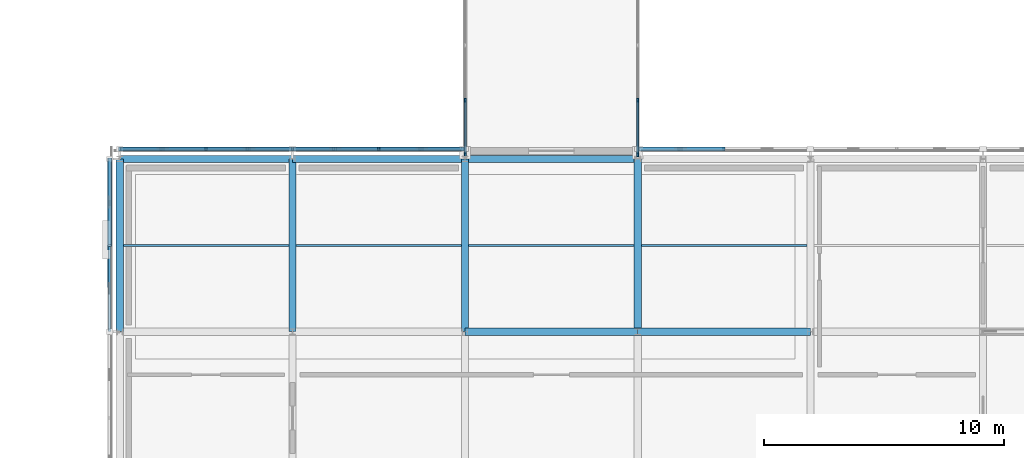
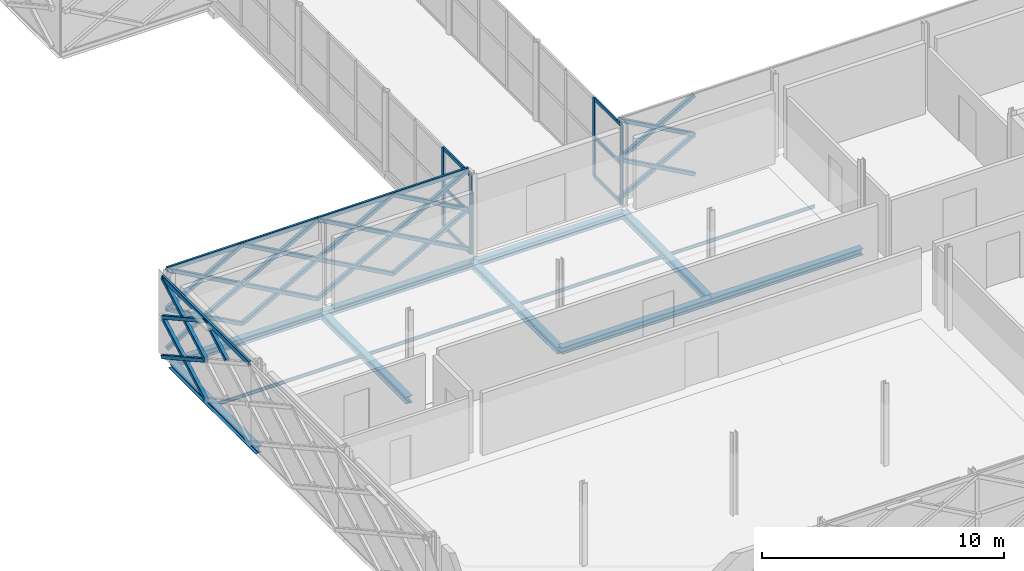
# One storey, part 21 of 126: 50 members, 13 beams, 2 elements without a shape of their own.
"""IFC4 building model written with IfcOpenShell, lengths in metres."""

import ifcopenshell
import ifcopenshell.guid

model = None  # the IFC model being written
_history = None  # IfcOwnerHistory: only IFC2X3 demands one
_inside = {}  # id of a spatial element -> (the spatial element, [elements in it])
_under = {}  # id of a project, library or spatial element -> (it, [spatial elements below it])
_declared = {}  # id of a project -> (the project, [libraries it declares])
_typed = {}  # id of a type object -> (the type object, [elements of that type])
_made_of = {}  # id of a material, layer set ... -> (it, [elements and type objects made of it])


def new_model(schema):
    """Start an empty IFC model of exactly this schema.

    Asked for "IFC4X3", IfcOpenShell would pick the latest addendum, in which some entities
    have other attributes; the version numbers below select the first issue.
    IFC2X3 requires an IfcOwnerHistory on every rooted entity: one is made here for all.
    """
    global model, _history
    if schema == "IFC4X3":
        model = ifcopenshell.file(schema_version=(4, 3, 0, 0))
    else:
        model = ifcopenshell.file(schema=schema)
    _inside.clear()
    _under.clear()
    _declared.clear()
    _typed.clear()
    _made_of.clear()
    _history = None
    if model.schema == "IFC2X3":
        org = make("IfcOrganization", Name="unknown")
        user = make(
            "IfcPersonAndOrganization",
            ThePerson=make("IfcPerson", FamilyName="unknown"),
            TheOrganization=org,
        )
        app = make(
            "IfcApplication",
            ApplicationDeveloper=org,
            Version="unknown",
            ApplicationFullName="unknown",
            ApplicationIdentifier="unknown",
        )
        _history = make(
            "IfcOwnerHistory",
            OwningUser=user,
            OwningApplication=app,
            ChangeAction="ADDED",
            CreationDate=0,
        )
    return model


def make(cls, **values):
    """One entity of the class cls with the attributes given. An attribute that is None is left unset."""
    return model.create_entity(
        cls, **{name: value for name, value in values.items() if value is not None}
    )


def rooted(cls, **values):
    """An entity with a GlobalId (a new one), such as an element, a storey or a relation."""
    return make(cls, GlobalId=ifcopenshell.guid.new(), OwnerHistory=_history, **values)


def si_unit(unit_type, name, prefix=None):
    """IfcSIUnit, for example si_unit("LENGTHUNIT", "METRE", prefix="MILLI")."""
    return make("IfcSIUnit", UnitType=unit_type, Prefix=prefix, Name=name)


def assignment(units):
    """IfcUnitAssignment: the units of a project."""
    return None if units is None else make("IfcUnitAssignment", Units=units)


def point(xyz):
    """IfcCartesianPoint."""
    return None if xyz is None else make("IfcCartesianPoint", Coordinates=xyz)


def direction(xyz):
    """IfcDirection."""
    return None if xyz is None else make("IfcDirection", DirectionRatios=xyz)


def frame(location, z_axis=None, x_axis=None):
    """IfcAxis2Placement3D, a coordinate frame: its origin and axes. An axis left out is left unset."""
    return make(
        "IfcAxis2Placement3D",
        Location=point(location),
        Axis=direction(z_axis),
        RefDirection=direction(x_axis),
    )


def frame_2d(location, x_axis=None):
    """IfcAxis2Placement2D, a coordinate frame in the plane: its origin and x axis."""
    return make(
        "IfcAxis2Placement2D", Location=point(location), RefDirection=direction(x_axis)
    )


def origin():
    """The frame at (0, 0, 0) with its axes left unset."""
    return frame((0.0, 0.0, 0.0))


def origin_2d():
    """The frame at (0, 0) in the plane with its x axis left unset."""
    return frame_2d((0.0, 0.0))


def place(relative_to, where):
    """IfcLocalPlacement: puts the frame where relative to a parent placement (None: the world)."""
    return make(
        "IfcLocalPlacement", PlacementRelTo=relative_to, RelativePlacement=where
    )


def context(
    kind, dimensions, precision=None, world=None, true_north=None, identifier=None
):
    """IfcGeometricRepresentationContext, for example the 3D "Model" context."""
    return make(
        "IfcGeometricRepresentationContext",
        ContextIdentifier=identifier,
        ContextType=kind,
        CoordinateSpaceDimension=dimensions,
        Precision=precision,
        WorldCoordinateSystem=world,
        TrueNorth=true_north,
    )


def subcontext(parent, identifier, kind, view, scale=None):
    """IfcGeometricRepresentationSubContext, for example "Body" below "Model"."""
    return make(
        "IfcGeometricRepresentationSubContext",
        ContextIdentifier=identifier,
        ContextType=kind,
        ParentContext=parent,
        TargetScale=scale,
        TargetView=view,
    )


def project(units=None, contexts=None):
    """IfcProject with its units and contexts."""
    return rooted(
        "IfcProject",
        Name="project",
        RepresentationContexts=contexts,
        UnitsInContext=assignment(units),
    )


def spatial(cls, under=None, at=None, **own):
    """A site, building, storey or space (cls), placed at a placement, below another one or the project."""
    s = rooted(cls, ObjectPlacement=at, **own)
    if under is not None:
        _under.setdefault(under.id(), (under, []))[1].append(s)
    return s


def profile(cls, at=None, kind="AREA", **sizes):
    """A parametric profile (cls). Its sizes go by their IFC names, for example OverallWidth=200.0."""
    return make(cls, ProfileType=kind, Position=at, **sizes)


def rectangle(**sizes):
    """IfcRectangleProfileDef."""
    return profile("IfcRectangleProfileDef", **sizes)


def hollow_rectangle(**sizes):
    """IfcRectangleHollowProfileDef."""
    return profile("IfcRectangleHollowProfileDef", **sizes)


def i_section(**sizes):
    """IfcIShapeProfileDef."""
    return profile("IfcIShapeProfileDef", **sizes)


def extrude(swept, where, along, depth):
    """IfcExtrudedAreaSolid: the profile swept, set in the frame where, extruded along a direction by depth."""
    return make(
        "IfcExtrudedAreaSolid",
        SweptArea=swept,
        Position=where,
        ExtrudedDirection=direction(along),
        Depth=depth,
    )


def shape(context_of_items, identifier, shape_type, items):
    """IfcShapeRepresentation: the items that make up one representation, for example the "Body"."""
    return make(
        "IfcShapeRepresentation",
        ContextOfItems=context_of_items,
        RepresentationIdentifier=identifier,
        RepresentationType=shape_type,
        Items=items,
    )


def material(Name=None, Category=None):
    """IfcMaterial."""
    return make("IfcMaterial", Name=Name, Category=Category)


def material_profile(
    of_material, cross_section, Name=None, Category=None, Priority=None
):
    """IfcMaterialProfile: a cross section and its material."""
    return make(
        "IfcMaterialProfile",
        Name=Name,
        Material=of_material,
        Profile=cross_section,
        Priority=Priority,
        Category=Category,
    )


def profile_set(profiles, Name=None, composite=None):
    """IfcMaterialProfileSet."""
    return make(
        "IfcMaterialProfileSet",
        Name=Name,
        MaterialProfiles=profiles,
        CompositeProfile=composite,
    )


def made_of(thing, what):
    """Note that an element or type object is made of a material, layer set ...; save() writes the relation."""
    if what is not None:
        _made_of.setdefault(what.id(), (what, []))[1].append(thing)
    return thing


def type_object(cls, material=None, **own):
    """A type object (cls), such as IfcWallType, which elements share."""
    return made_of(rooted(cls, **own), material)


def element(
    cls,
    number,
    at=None,
    inside=None,
    cuts=None,
    type_object=None,
    material=None,
    context=None,
    identifier="Body",
    shape_type=None,
    held_by="IfcProductDefinitionShape",
    body=None,
    shapes=None,
    **own,
):
    """One element of the class cls, such as IfcWall. Its Tag is "e" and its number.

    at: its placement. inside: the storey or other place that contains it. cuts: it is an
    opening in that element (IfcRelVoidsElement). A single representation is given by context,
    identifier, shape_type and body (its items); several are given by shapes. held_by: the class
    of the entity that holds the representations. save() writes the other relations.
    """
    e = rooted(cls, Tag="e%d" % number, ObjectPlacement=at, **own)
    if body is not None:
        shapes = [shape(context, identifier, shape_type, body)]
    if shapes is not None:
        e.Representation = make(held_by, Representations=shapes)
    if inside is not None:
        _inside.setdefault(inside.id(), (inside, []))[1].append(e)
    if cuts is not None:
        rooted(
            "IfcRelVoidsElement", RelatingBuildingElement=cuts, RelatedOpeningElement=e
        )
    if type_object is not None:
        _typed.setdefault(type_object.id(), (type_object, []))[1].append(e)
    return made_of(e, material)


def aggregate(whole, parts):
    """IfcRelAggregates: a whole, such as a stair, and the parts it consists of."""
    return rooted("IfcRelAggregates", RelatingObject=whole, RelatedObjects=parts)


def save(model, path):
    """Write the relations noted so far, then the file.

    IfcRelAggregates (storeys below a building ...), IfcRelContainedInSpatialStructure (elements
    in a storey), IfcRelDefinesByType, IfcRelAssociatesMaterial and IfcRelDeclares: one each for
    every whole, place, type object, material and project.
    """
    for whole, parts in _under.values():
        aggregate(whole, parts)
    for where, things in _inside.values():
        rooted(
            "IfcRelContainedInSpatialStructure",
            RelatedElements=things,
            RelatingStructure=where,
        )
    for kind, things in _typed.values():
        rooted("IfcRelDefinesByType", RelatedObjects=things, RelatingType=kind)
    for what, things in _made_of.values():
        rooted("IfcRelAssociatesMaterial", RelatedObjects=things, RelatingMaterial=what)
    for by, libraries in _declared.values():
        rooted("IfcRelDeclares", RelatingContext=by, RelatedDefinitions=libraries)
    model.write(path)


model = new_model("IFC4")

# Units and contexts
model_context = context("Model", 3, precision=1e-05, world=origin(), true_north=direction((0.0, 1.0)))
body_context = subcontext(model_context, "Body", "Model", "MODEL_VIEW")
ifc_project = project(units=[si_unit("LENGTHUNIT", "METRE"), si_unit("AREAUNIT", "SQUARE_METRE"), si_unit("VOLUMEUNIT", "CUBIC_METRE"), si_unit("PLANEANGLEUNIT", "RADIAN"), si_unit("MASSUNIT", "GRAM", prefix="KILO")], contexts=[model_context])

# Site, building, storey
site_placement = place(None, origin())
site = spatial("IfcSite", under=ifc_project, at=site_placement, CompositionType="ELEMENT")
building_placement = place(site_placement, origin())
building = spatial("IfcBuilding", under=site, at=building_placement, Name="Zlatovets Crest Museum", CompositionType="ELEMENT")
storey_placement = place(building_placement, frame((0.0, 0.0, 8.699951171875)))
storey = spatial("IfcBuildingStorey", under=building, at=storey_placement, Name="L02", CompositionType="ELEMENT", Elevation=8.699951171875)

# Beams
ifc_material_1 = material(Name="Structural steel S355J2", Category="steel")
ifc_material_profile_1 = material_profile(ifc_material_1, i_section(OverallWidth=0.300048828125, OverallDepth=0.35009765625, WebThickness=0.010009765625, FlangeThickness=0.017578125, FilletRadius=0.027099609375, at=origin_2d()), Name="HEA 360")
ifc_profile_set_1 = profile_set([ifc_material_profile_1], Name="Structural steel S355J2")
beam_type_1 = type_object("IfcBeamType", Name="Beam_B-03", PredefinedType="BEAM", material=ifc_profile_set_1)
for number, where, z_axis, x_axis, name in (
    (1, (0.0, 21.60009765625, -0.39501953125), (0.0, 1.0, 0.0), (-1.0, 0.0, 0.0), "V3 L02 Grid Beam B-03"),
    (2, (7.199951171875, 21.60009765625, -0.39501953125), (0.0, 1.0, 0.0), (-1.0, 0.0, 0.0), "V3 L02 Grid Beam B-03"),
    (3, (14.39990234375, 21.60009765625, -0.39501953125), (0.0, 1.0, 0.0), (-1.0, 0.0, 0.0), "V3 L02 Grid Beam B-03"),
    (4, (21.60009765625, 21.60009765625, -0.39501953125), (0.0, 1.0, 0.0), (-1.0, 0.0, 0.0), "V3 L02 Grid Beam B-03"),
):
    element("IfcBeam", number, at=place(storey_placement, frame(where, z_axis=z_axis, x_axis=x_axis)), inside=storey, type_object=beam_type_1, Name=name, PredefinedType="BEAM", context=body_context, shape_type="SweptSolid", body=[
        extrude(i_section(OverallWidth=0.300048828125, OverallDepth=0.35009765625, WebThickness=0.010009765625, FlangeThickness=0.017578125, FilletRadius=0.027099609375, at=origin_2d()), origin(), (0.0, 0.0, 1.0), 7.199951171875),
    ])
ifc_material_profile_2 = material_profile(ifc_material_1, i_section(OverallWidth=0.300048828125, OverallDepth=0.330078125, WebThickness=0.009521484375, FlangeThickness=0.0166015625, FilletRadius=0.027099609375, at=origin_2d()), Name="HEA 340")
ifc_profile_set_2 = profile_set([ifc_material_profile_2], Name="Structural steel S355J2")
beam_type_2 = type_object("IfcBeamType", Name="Beam_B-11", PredefinedType="BEAM", material=ifc_profile_set_2)
beam_1_placement = place(storey_placement, frame((14.39990234375, 21.60009765625, -0.385009765625), z_axis=(1.0, 0.0, 0.0), x_axis=(0.0, 1.0, 0.0)))
element("IfcBeam", 5, at=beam_1_placement, inside=storey, type_object=beam_type_2, Name="V3 L02 Primary Girder B-11", PredefinedType="BEAM", context=body_context, shape_type="SweptSolid", body=[
    extrude(i_section(OverallWidth=0.300048828125, OverallDepth=0.330078125, WebThickness=0.009521484375, FlangeThickness=0.0166015625, FilletRadius=0.027099609375, at=origin_2d()), origin(), (0.0, 0.0, 1.0), 7.2001953125),
])
for number, where, z_axis, x_axis, name in (
    (6, (21.60009765625, 21.60009765625, -0.385009765625), (1.0, 0.0, 0.0), (0.0, 1.0, 0.0), "V3 L02 Primary Girder B-11"),
    (7, (0.0, 28.800048828125, -0.385009765625), (1.0, 0.0, 0.0), (0.0, 1.0, 0.0), "V3 L02 Primary Girder B-11"),
    (8, (7.199951171875, 28.800048828125, -0.385009765625), (1.0, 0.0, 0.0), (0.0, 1.0, 0.0), "V3 L02 Primary Girder B-11"),
):
    element("IfcBeam", number, at=place(storey_placement, frame(where, z_axis=z_axis, x_axis=x_axis)), inside=storey, type_object=beam_type_2, Name=name, PredefinedType="BEAM", context=body_context, shape_type="SweptSolid", body=[
        extrude(i_section(OverallWidth=0.300048828125, OverallDepth=0.330078125, WebThickness=0.009521484375, FlangeThickness=0.0166015625, FilletRadius=0.027099609375, at=origin_2d()), origin(), (0.0, 0.0, 1.0), 7.199951171875),
    ])
beam_2_placement = place(storey_placement, frame((14.39990234375, 28.800048828125, -0.385009765625), z_axis=(1.0, 0.0, 0.0), x_axis=(0.0, 1.0, 0.0)))
element("IfcBeam", 9, at=beam_2_placement, inside=storey, type_object=beam_type_2, Name="V3 L02 Primary Girder B-11", PredefinedType="BEAM", context=body_context, shape_type="SweptSolid", body=[
    extrude(i_section(OverallWidth=0.300048828125, OverallDepth=0.330078125, WebThickness=0.009521484375, FlangeThickness=0.0166015625, FilletRadius=0.027099609375, at=origin_2d()), origin(), (0.0, 0.0, 1.0), 7.2001953125),
])
ifc_material_profile_3 = material_profile(ifc_material_1, i_section(OverallWidth=0.08203125, OverallDepth=0.159912109375, WebThickness=0.0048828125, FlangeThickness=0.00732421875, FilletRadius=0.009033203125, at=origin_2d()), Name="IPE 160")
ifc_profile_set_3 = profile_set([ifc_material_profile_3], Name="Structural steel S355J2")
beam_type_3 = type_object("IfcBeamType", Name="Beam_J-12", PredefinedType="JOIST", material=ifc_profile_set_3)
beam_3_placement = place(storey_placement, frame((0.14990234375, 25.199951171875, -0.300048828125), z_axis=(1.0, 0.0, 0.0), x_axis=(0.0, 1.0, 0.0)))
element("IfcBeam", 10, at=beam_3_placement, inside=storey, type_object=beam_type_3, Name="V3 L02 Composite Joist J-12", PredefinedType="JOIST", context=body_context, shape_type="SweptSolid", body=[
    extrude(i_section(OverallWidth=0.08203125, OverallDepth=0.159912109375, WebThickness=0.0048828125, FlangeThickness=0.00732421875, FilletRadius=0.009033203125, at=origin_2d()), origin(), (0.0, 0.0, 1.0), 6.900146484375),
])
for number, where, z_axis, x_axis, name in (
    (11, (7.35009765625, 25.199951171875, -0.300048828125), (1.0, 0.0, 0.0), (0.0, 1.0, 0.0), "V3 L02 Composite Joist J-12"),
    (12, (14.550048828125, 25.199951171875, -0.300048828125), (1.0, 0.0, 0.0), (0.0, 1.0, 0.0), "V3 L02 Composite Joist J-12"),
    (13, (21.75, 25.199951171875, -0.300048828125), (1.0, 0.0, 0.0), (0.0, 1.0, 0.0), "V3 L02 Composite Joist J-12"),
):
    element("IfcBeam", number, at=place(storey_placement, frame(where, z_axis=z_axis, x_axis=x_axis)), inside=storey, type_object=beam_type_3, Name=name, PredefinedType="JOIST", context=body_context, shape_type="SweptSolid", body=[
        extrude(i_section(OverallWidth=0.08203125, OverallDepth=0.159912109375, WebThickness=0.0048828125, FlangeThickness=0.00732421875, FilletRadius=0.009033203125, at=origin_2d()), origin(), (0.0, 0.0, 1.0), 6.89990234375),
    ])

# Curtain wall, members
ifc_material_2 = material(Name="Bronze-anodised aluminium and low-E triple glass", Category="aluminium")
curtain_wall_type = type_object("IfcCurtainWallType", Name="CW_CW-BR2-L02-S69", PredefinedType="NOTDEFINED", material=ifc_material_2)
curtain_wall_1_placement = place(storey_placement, origin())
curtain_wall_1 = element("IfcCurtainWall", 14, at=curtain_wall_1_placement, inside=storey, type_object=curtain_wall_type, Name="West Hillside Glazed Link Bridge L02 Glazed Bridge Curtain Wall", PredefinedType="NOTDEFINED")
ifc_material_3 = material(Name="Bronze-anodised aluminium EN AW-6060", Category="aluminium")
ifc_material_profile_4 = material_profile(ifc_material_3, rectangle(XDim=0.080078125, YDim=0.159912109375, at=origin_2d()), Name="ALU 80x160")
ifc_profile_set_4 = profile_set([ifc_material_profile_4], Name="Bronze-anodised aluminium EN AW-6060")
member_type_1 = type_object("IfcMemberType", Name="CWMull_M1", PredefinedType="MULLION", material=ifc_profile_set_4)
member_1_placement = place(storey_placement, frame((14.39990234375, 28.97998046875, 0.0), z_axis=(0.0, 0.0, 1.0), x_axis=(-1.0, 0.0, 0.0)))
member_1 = element("IfcMember", 15, at=member_1_placement, type_object=member_type_1, Name="CW-BR2-L02-S69 mullion 1", PredefinedType="MULLION", context=body_context, shape_type="SweptSolid", body=[
    extrude(rectangle(XDim=0.080078125, YDim=0.159912109375, at=origin_2d()), origin(), (0.0, 0.0, 1.0), 3.97998046875),
])
member_2_placement = place(storey_placement, frame((14.39990234375, 31.25, 0.0), z_axis=(0.0, 0.0, 1.0), x_axis=(-1.0, 0.0, 0.0)))
member_2 = element("IfcMember", 16, at=member_2_placement, type_object=member_type_1, Name="CW-BR2-L02-S69 mullion 2", PredefinedType="MULLION", context=body_context, shape_type="SweptSolid", body=[
    extrude(rectangle(XDim=0.080078125, YDim=0.159912109375, at=origin_2d()), origin(), (0.0, 0.0, 1.0), 3.97998046875),
])

curtain_wall_2_placement = place(storey_placement, origin())
curtain_wall_2 = element("IfcCurtainWall", 17, at=curtain_wall_2_placement, inside=storey, type_object=curtain_wall_type, Name="West Hillside Glazed Link Bridge L02 Glazed Bridge Curtain Wall", PredefinedType="NOTDEFINED")
member_3_placement = place(storey_placement, frame((21.60009765625, 28.97998046875, 0.0), z_axis=(0.0, 0.0, 1.0), x_axis=(-1.0, 0.0, 0.0)))
member_3 = element("IfcMember", 18, at=member_3_placement, type_object=member_type_1, Name="CW-BR2-L02-S69 mullion 1", PredefinedType="MULLION", context=body_context, shape_type="SweptSolid", body=[
    extrude(rectangle(XDim=0.080078125, YDim=0.159912109375, at=origin_2d()), origin(), (0.0, 0.0, 1.0), 3.97998046875),
])
member_4_placement = place(storey_placement, frame((21.60009765625, 31.25, 0.0), z_axis=(0.0, 0.0, 1.0), x_axis=(-1.0, 0.0, 0.0)))
member_4 = element("IfcMember", 19, at=member_4_placement, type_object=member_type_1, Name="CW-BR2-L02-S69 mullion 2", PredefinedType="MULLION", context=body_context, shape_type="SweptSolid", body=[
    extrude(rectangle(XDim=0.080078125, YDim=0.159912109375, at=origin_2d()), origin(), (0.0, 0.0, 1.0), 3.97998046875),
])

# Member
ifc_material_profile_5 = material_profile(ifc_material_3, rectangle(XDim=0.080078125, YDim=0.159912109375, at=origin_2d()), Name="ALU 80x160")
ifc_profile_set_5 = profile_set([ifc_material_profile_5], Name="Bronze-anodised aluminium EN AW-6060")
member_type_2 = type_object("IfcMemberType", Name="CWTrans_T1", PredefinedType="USERDEFINED", material=ifc_profile_set_5)
member_5_placement = place(storey_placement, frame((14.39990234375, 29.010009765625, 0.030029296875), z_axis=(0.0, 1.0, 0.0), x_axis=(-1.0, 0.0, 0.0)))
member_5 = element("IfcMember", 20, at=member_5_placement, type_object=member_type_2, Name="CW-BR2-L02-S69 transom 1.1", ObjectType="TRANSOM", PredefinedType="USERDEFINED", context=body_context, shape_type="SweptSolid", body=[
    extrude(rectangle(XDim=0.080078125, YDim=0.159912109375, at=origin_2d()), origin(), (0.0, 0.0, 1.0), 2.2099609375),
])

member_6_placement = place(storey_placement, frame((14.39990234375, 29.010009765625, 1.989990234375), z_axis=(0.0, 1.0, 0.0), x_axis=(-1.0, 0.0, 0.0)))
member_6 = element("IfcMember", 21, at=member_6_placement, type_object=member_type_2, Name="CW-BR2-L02-S69 transom 1.2", ObjectType="TRANSOM", PredefinedType="USERDEFINED", context=body_context, shape_type="SweptSolid", body=[
    extrude(rectangle(XDim=0.080078125, YDim=0.159912109375, at=origin_2d()), origin(), (0.0, 0.0, 1.0), 2.2099609375),
])

member_7_placement = place(storey_placement, frame((14.39990234375, 29.010009765625, 3.949951171875), z_axis=(0.0, 1.0, 0.0), x_axis=(-1.0, 0.0, 0.0)))
member_7 = element("IfcMember", 22, at=member_7_placement, type_object=member_type_2, Name="CW-BR2-L02-S69 transom 1.3", ObjectType="TRANSOM", PredefinedType="USERDEFINED", context=body_context, shape_type="SweptSolid", body=[
    extrude(rectangle(XDim=0.080078125, YDim=0.159912109375, at=origin_2d()), origin(), (0.0, 0.0, 1.0), 2.2099609375),
])

aggregate(curtain_wall_1, [member_1, member_2, member_5, member_6, member_7])

member_8_placement = place(storey_placement, frame((21.60009765625, 29.010009765625, 0.030029296875), z_axis=(0.0, 1.0, 0.0), x_axis=(-1.0, 0.0, 0.0)))
member_8 = element("IfcMember", 23, at=member_8_placement, type_object=member_type_2, Name="CW-BR2-L02-S69 transom 1.1", ObjectType="TRANSOM", PredefinedType="USERDEFINED", context=body_context, shape_type="SweptSolid", body=[
    extrude(rectangle(XDim=0.080078125, YDim=0.159912109375, at=origin_2d()), origin(), (0.0, 0.0, 1.0), 2.2099609375),
])

member_9_placement = place(storey_placement, frame((21.60009765625, 29.010009765625, 1.989990234375), z_axis=(0.0, 1.0, 0.0), x_axis=(-1.0, 0.0, 0.0)))
member_9 = element("IfcMember", 24, at=member_9_placement, type_object=member_type_2, Name="CW-BR2-L02-S69 transom 1.2", ObjectType="TRANSOM", PredefinedType="USERDEFINED", context=body_context, shape_type="SweptSolid", body=[
    extrude(rectangle(XDim=0.080078125, YDim=0.159912109375, at=origin_2d()), origin(), (0.0, 0.0, 1.0), 2.2099609375),
])

member_10_placement = place(storey_placement, frame((21.60009765625, 29.010009765625, 3.949951171875), z_axis=(0.0, 1.0, 0.0), x_axis=(-1.0, 0.0, 0.0)))
member_10 = element("IfcMember", 25, at=member_10_placement, type_object=member_type_2, Name="CW-BR2-L02-S69 transom 1.3", ObjectType="TRANSOM", PredefinedType="USERDEFINED", context=body_context, shape_type="SweptSolid", body=[
    extrude(rectangle(XDim=0.080078125, YDim=0.159912109375, at=origin_2d()), origin(), (0.0, 0.0, 1.0), 2.2099609375),
])

aggregate(curtain_wall_2, [member_3, member_4, member_8, member_9, member_10])

# Members
ifc_material_4 = material(Name="Weathering bronze-steel S355J2W", Category="steel")
ifc_material_profile_6 = material_profile(ifc_material_4, hollow_rectangle(XDim=0.179931640625, YDim=0.179931640625, WallThickness=0.010009765625, InnerFilletRadius=0.010009765625, OuterFilletRadius=0.02001953125, at=origin_2d()), Name="SHS 180x180x10.0")
ifc_profile_set_6 = profile_set([ifc_material_profile_6], Name="Weathering bronze-steel S355J2W")
member_type_3 = type_object("IfcMemberType", Name="Lattice_XL-01", PredefinedType="BRACE", material=ifc_profile_set_6)
member_11_placement = place(storey_placement, frame((25.199951171875, 29.219970703125, 0.10009765625), z_axis=(-0.874148886685, 0.0, 0.485658031857), x_axis=(0.0, -1.0, 0.0)))
element("IfcMember", 26, at=member_11_placement, inside=storey, type_object=member_type_3, Name="Continuous Bronze Lattice Diagonal", PredefinedType="BRACE", context=body_context, shape_type="SweptSolid", body=[
    extrude(hollow_rectangle(XDim=0.179931640625, YDim=0.179931640625, WallThickness=0.010009765625, InnerFilletRadius=0.010009765625, OuterFilletRadius=0.02001953125, at=origin_2d()), origin(), (0.0, 0.0, 1.0), 4.1181640625),
])
member_12_placement = place(storey_placement, frame((25.199951171875, 29.219970703125, 2.10009765625), z_axis=(-0.874169001841, 0.0, -0.485621824284), x_axis=(0.0, -1.0, 0.0)))
element("IfcMember", 27, at=member_12_placement, inside=storey, type_object=member_type_3, Name="Split Crossing Bronze Lattice Diagonal Upper", PredefinedType="BRACE", context=body_context, shape_type="SweptSolid", body=[
    extrude(hollow_rectangle(XDim=0.179931640625, YDim=0.179931640625, WallThickness=0.010009765625, InnerFilletRadius=0.010009765625, OuterFilletRadius=0.02001953125, at=origin_2d()), origin(), (0.0, 0.0, 1.0), 1.964111328125),
])
member_13_placement = place(storey_placement, frame((23.31689453125, 29.219970703125, 1.053955078125), z_axis=(-0.874139684676, 0.0, -0.48567459443), x_axis=(0.0, -1.0, 0.0)))
element("IfcMember", 28, at=member_13_placement, inside=storey, type_object=member_type_3, Name="Split Crossing Bronze Lattice Diagonal Lower", PredefinedType="BRACE", context=body_context, shape_type="SweptSolid", body=[
    extrude(hollow_rectangle(XDim=0.179931640625, YDim=0.179931640625, WallThickness=0.010009765625, InnerFilletRadius=0.010009765625, OuterFilletRadius=0.02001953125, at=origin_2d()), origin(), (0.0, 0.0, 1.0), 1.9638671875),
])
member_14_placement = place(storey_placement, frame((25.199951171875, 29.219970703125, 2.10009765625), z_axis=(-0.874148886685, 0.0, 0.485658031857), x_axis=(0.0, -1.0, 0.0)))
element("IfcMember", 29, at=member_14_placement, inside=storey, type_object=member_type_3, Name="Continuous Bronze Lattice Diagonal", PredefinedType="BRACE", context=body_context, shape_type="SweptSolid", body=[
    extrude(hollow_rectangle(XDim=0.179931640625, YDim=0.179931640625, WallThickness=0.010009765625, InnerFilletRadius=0.010009765625, OuterFilletRadius=0.02001953125, at=origin_2d()), origin(), (0.0, 0.0, 1.0), 4.1181640625),
])
member_15_placement = place(storey_placement, frame((25.199951171875, 29.219970703125, 4.10009765625), z_axis=(-0.874169001841, 0.0, -0.485621824284), x_axis=(0.0, -1.0, 0.0)))
element("IfcMember", 30, at=member_15_placement, inside=storey, type_object=member_type_3, Name="Split Crossing Bronze Lattice Diagonal Upper", PredefinedType="BRACE", context=body_context, shape_type="SweptSolid", body=[
    extrude(hollow_rectangle(XDim=0.179931640625, YDim=0.179931640625, WallThickness=0.010009765625, InnerFilletRadius=0.010009765625, OuterFilletRadius=0.02001953125, at=origin_2d()), origin(), (0.0, 0.0, 1.0), 1.964111328125),
])
member_16_placement = place(storey_placement, frame((23.31689453125, 29.219970703125, 3.053955078125), z_axis=(-0.874139684676, 0.0, -0.48567459443), x_axis=(0.0, -1.0, 0.0)))
element("IfcMember", 31, at=member_16_placement, inside=storey, type_object=member_type_3, Name="Split Crossing Bronze Lattice Diagonal Lower", PredefinedType="BRACE", context=body_context, shape_type="SweptSolid", body=[
    extrude(hollow_rectangle(XDim=0.179931640625, YDim=0.179931640625, WallThickness=0.010009765625, InnerFilletRadius=0.010009765625, OuterFilletRadius=0.02001953125, at=origin_2d()), origin(), (0.0, 0.0, 1.0), 1.9638671875),
])
member_17_placement = place(storey_placement, frame((14.39990234375, 29.219970703125, 0.10009765625), z_axis=(-0.874148886685, 0.0, 0.485658031857), x_axis=(0.0, -1.0, 0.0)))
element("IfcMember", 32, at=member_17_placement, inside=storey, type_object=member_type_3, Name="Continuous Bronze Lattice Diagonal", PredefinedType="BRACE", context=body_context, shape_type="SweptSolid", body=[
    extrude(hollow_rectangle(XDim=0.179931640625, YDim=0.179931640625, WallThickness=0.010009765625, InnerFilletRadius=0.010009765625, OuterFilletRadius=0.02001953125, at=origin_2d()), origin(), (0.0, 0.0, 1.0), 4.1181640625),
])
member_18_placement = place(storey_placement, frame((14.39990234375, 29.219970703125, 2.10009765625), z_axis=(-0.874139684676, 0.0, -0.48567459443), x_axis=(0.0, -1.0, 0.0)))
element("IfcMember", 33, at=member_18_placement, inside=storey, type_object=member_type_3, Name="Split Crossing Bronze Lattice Diagonal Upper", PredefinedType="BRACE", context=body_context, shape_type="SweptSolid", body=[
    extrude(hollow_rectangle(XDim=0.179931640625, YDim=0.179931640625, WallThickness=0.010009765625, InnerFilletRadius=0.010009765625, OuterFilletRadius=0.02001953125, at=origin_2d()), origin(), (0.0, 0.0, 1.0), 1.9638671875),
])
member_19_placement = place(storey_placement, frame((12.51708984375, 29.219970703125, 1.053955078125), z_axis=(-0.874169001841, 0.0, -0.485621824284), x_axis=(0.0, -1.0, 0.0)))
element("IfcMember", 34, at=member_19_placement, inside=storey, type_object=member_type_3, Name="Split Crossing Bronze Lattice Diagonal Lower", PredefinedType="BRACE", context=body_context, shape_type="SweptSolid", body=[
    extrude(hollow_rectangle(XDim=0.179931640625, YDim=0.179931640625, WallThickness=0.010009765625, InnerFilletRadius=0.010009765625, OuterFilletRadius=0.02001953125, at=origin_2d()), origin(), (0.0, 0.0, 1.0), 1.964111328125),
])
member_20_placement = place(storey_placement, frame((10.800048828125, 29.219970703125, 0.10009765625), z_axis=(-0.874162868644, 0.0, 0.485632864501), x_axis=(0.0, -1.0, 0.0)))
element("IfcMember", 35, at=member_20_placement, inside=storey, type_object=member_type_3, Name="Continuous Bronze Lattice Diagonal", PredefinedType="BRACE", context=body_context, shape_type="SweptSolid", body=[
    extrude(hollow_rectangle(XDim=0.179931640625, YDim=0.179931640625, WallThickness=0.010009765625, InnerFilletRadius=0.010009765625, OuterFilletRadius=0.02001953125, at=origin_2d()), origin(), (0.0, 0.0, 1.0), 4.118408203125),
])
for number, where, z_axis, x_axis, name in (
    (36, (10.800048828125, 29.219970703125, 2.10009765625), (-0.874169001841, 0.0, -0.485621824284), (0.0, -1.0, 0.0), "Split Crossing Bronze Lattice Diagonal Upper"),
    (37, (8.9169921875, 29.219970703125, 1.053955078125), (-0.874169001841, 0.0, -0.485621824284), (0.0, -1.0, 0.0), "Split Crossing Bronze Lattice Diagonal Lower"),
):
    element("IfcMember", number, at=place(storey_placement, frame(where, z_axis=z_axis, x_axis=x_axis)), inside=storey, type_object=member_type_3, Name=name, PredefinedType="BRACE", context=body_context, shape_type="SweptSolid", body=[
        extrude(hollow_rectangle(XDim=0.179931640625, YDim=0.179931640625, WallThickness=0.010009765625, InnerFilletRadius=0.010009765625, OuterFilletRadius=0.02001953125, at=origin_2d()), origin(), (0.0, 0.0, 1.0), 1.964111328125),
    ])
member_21_placement = place(storey_placement, frame((14.39990234375, 29.219970703125, 2.10009765625), z_axis=(-0.874148886685, 0.0, 0.485658031857), x_axis=(0.0, -1.0, 0.0)))
element("IfcMember", 38, at=member_21_placement, inside=storey, type_object=member_type_3, Name="Continuous Bronze Lattice Diagonal", PredefinedType="BRACE", context=body_context, shape_type="SweptSolid", body=[
    extrude(hollow_rectangle(XDim=0.179931640625, YDim=0.179931640625, WallThickness=0.010009765625, InnerFilletRadius=0.010009765625, OuterFilletRadius=0.02001953125, at=origin_2d()), origin(), (0.0, 0.0, 1.0), 4.1181640625),
])
member_22_placement = place(storey_placement, frame((14.39990234375, 29.219970703125, 4.10009765625), z_axis=(-0.874139684676, 0.0, -0.48567459443), x_axis=(0.0, -1.0, 0.0)))
element("IfcMember", 39, at=member_22_placement, inside=storey, type_object=member_type_3, Name="Split Crossing Bronze Lattice Diagonal Upper", PredefinedType="BRACE", context=body_context, shape_type="SweptSolid", body=[
    extrude(hollow_rectangle(XDim=0.179931640625, YDim=0.179931640625, WallThickness=0.010009765625, InnerFilletRadius=0.010009765625, OuterFilletRadius=0.02001953125, at=origin_2d()), origin(), (0.0, 0.0, 1.0), 1.9638671875),
])
member_23_placement = place(storey_placement, frame((12.51708984375, 29.219970703125, 3.053955078125), z_axis=(-0.874169001841, 0.0, -0.485621824284), x_axis=(0.0, -1.0, 0.0)))
element("IfcMember", 40, at=member_23_placement, inside=storey, type_object=member_type_3, Name="Split Crossing Bronze Lattice Diagonal Lower", PredefinedType="BRACE", context=body_context, shape_type="SweptSolid", body=[
    extrude(hollow_rectangle(XDim=0.179931640625, YDim=0.179931640625, WallThickness=0.010009765625, InnerFilletRadius=0.010009765625, OuterFilletRadius=0.02001953125, at=origin_2d()), origin(), (0.0, 0.0, 1.0), 1.964111328125),
])
member_24_placement = place(storey_placement, frame((10.800048828125, 29.219970703125, 2.10009765625), z_axis=(-0.874162868644, 0.0, 0.485632864501), x_axis=(0.0, -1.0, 0.0)))
element("IfcMember", 41, at=member_24_placement, inside=storey, type_object=member_type_3, Name="Continuous Bronze Lattice Diagonal", PredefinedType="BRACE", context=body_context, shape_type="SweptSolid", body=[
    extrude(hollow_rectangle(XDim=0.179931640625, YDim=0.179931640625, WallThickness=0.010009765625, InnerFilletRadius=0.010009765625, OuterFilletRadius=0.02001953125, at=origin_2d()), origin(), (0.0, 0.0, 1.0), 4.118408203125),
])
for number, where, z_axis, x_axis, name in (
    (42, (10.800048828125, 29.219970703125, 4.10009765625), (-0.874169001841, 0.0, -0.485621824284), (0.0, -1.0, 0.0), "Split Crossing Bronze Lattice Diagonal Upper"),
    (43, (8.9169921875, 29.219970703125, 3.053955078125), (-0.874169001841, 0.0, -0.485621824284), (0.0, -1.0, 0.0), "Split Crossing Bronze Lattice Diagonal Lower"),
):
    element("IfcMember", number, at=place(storey_placement, frame(where, z_axis=z_axis, x_axis=x_axis)), inside=storey, type_object=member_type_3, Name=name, PredefinedType="BRACE", context=body_context, shape_type="SweptSolid", body=[
        extrude(hollow_rectangle(XDim=0.179931640625, YDim=0.179931640625, WallThickness=0.010009765625, InnerFilletRadius=0.010009765625, OuterFilletRadius=0.02001953125, at=origin_2d()), origin(), (0.0, 0.0, 1.0), 1.964111328125),
    ])
member_25_placement = place(storey_placement, frame((7.199951171875, 29.219970703125, 0.10009765625), z_axis=(-0.874148886685, 0.0, 0.485658031857), x_axis=(0.0, -1.0, 0.0)))
element("IfcMember", 44, at=member_25_placement, inside=storey, type_object=member_type_3, Name="Continuous Bronze Lattice Diagonal", PredefinedType="BRACE", context=body_context, shape_type="SweptSolid", body=[
    extrude(hollow_rectangle(XDim=0.179931640625, YDim=0.179931640625, WallThickness=0.010009765625, InnerFilletRadius=0.010009765625, OuterFilletRadius=0.02001953125, at=origin_2d()), origin(), (0.0, 0.0, 1.0), 4.1181640625),
])
member_26_placement = place(storey_placement, frame((7.199951171875, 29.219970703125, 2.10009765625), z_axis=(-0.874169001841, 0.0, -0.485621824284), x_axis=(0.0, -1.0, 0.0)))
element("IfcMember", 45, at=member_26_placement, inside=storey, type_object=member_type_3, Name="Split Crossing Bronze Lattice Diagonal Upper", PredefinedType="BRACE", context=body_context, shape_type="SweptSolid", body=[
    extrude(hollow_rectangle(XDim=0.179931640625, YDim=0.179931640625, WallThickness=0.010009765625, InnerFilletRadius=0.010009765625, OuterFilletRadius=0.02001953125, at=origin_2d()), origin(), (0.0, 0.0, 1.0), 1.964111328125),
])
member_27_placement = place(storey_placement, frame((5.31689453125, 29.219970703125, 1.053955078125), z_axis=(-0.874139684676, 0.0, -0.48567459443), x_axis=(0.0, -1.0, 0.0)))
element("IfcMember", 46, at=member_27_placement, inside=storey, type_object=member_type_3, Name="Split Crossing Bronze Lattice Diagonal Lower", PredefinedType="BRACE", context=body_context, shape_type="SweptSolid", body=[
    extrude(hollow_rectangle(XDim=0.179931640625, YDim=0.179931640625, WallThickness=0.010009765625, InnerFilletRadius=0.010009765625, OuterFilletRadius=0.02001953125, at=origin_2d()), origin(), (0.0, 0.0, 1.0), 1.9638671875),
])
member_28_placement = place(storey_placement, frame((3.60009765625, 29.219970703125, 0.10009765625), z_axis=(-0.874162868644, 0.0, 0.485632864501), x_axis=(0.0, -1.0, 0.0)))
element("IfcMember", 47, at=member_28_placement, inside=storey, type_object=member_type_3, Name="Continuous Bronze Lattice Diagonal", PredefinedType="BRACE", context=body_context, shape_type="SweptSolid", body=[
    extrude(hollow_rectangle(XDim=0.179931640625, YDim=0.179931640625, WallThickness=0.010009765625, InnerFilletRadius=0.010009765625, OuterFilletRadius=0.02001953125, at=origin_2d()), origin(), (0.0, 0.0, 1.0), 4.118408203125),
])
for number, where, z_axis, x_axis, name in (
    (48, (3.60009765625, 29.219970703125, 2.10009765625), (-0.874169001841, 0.0, -0.485621824284), (0.0, -1.0, 0.0), "Split Crossing Bronze Lattice Diagonal Upper"),
    (49, (1.717041015625, 29.219970703125, 1.053955078125), (-0.874169001841, 0.0, -0.485621824284), (0.0, -1.0, 0.0), "Split Crossing Bronze Lattice Diagonal Lower"),
):
    element("IfcMember", number, at=place(storey_placement, frame(where, z_axis=z_axis, x_axis=x_axis)), inside=storey, type_object=member_type_3, Name=name, PredefinedType="BRACE", context=body_context, shape_type="SweptSolid", body=[
        extrude(hollow_rectangle(XDim=0.179931640625, YDim=0.179931640625, WallThickness=0.010009765625, InnerFilletRadius=0.010009765625, OuterFilletRadius=0.02001953125, at=origin_2d()), origin(), (0.0, 0.0, 1.0), 1.964111328125),
    ])
member_29_placement = place(storey_placement, frame((7.199951171875, 29.219970703125, 2.10009765625), z_axis=(-0.874148886685, 0.0, 0.485658031857), x_axis=(0.0, -1.0, 0.0)))
element("IfcMember", 50, at=member_29_placement, inside=storey, type_object=member_type_3, Name="Continuous Bronze Lattice Diagonal", PredefinedType="BRACE", context=body_context, shape_type="SweptSolid", body=[
    extrude(hollow_rectangle(XDim=0.179931640625, YDim=0.179931640625, WallThickness=0.010009765625, InnerFilletRadius=0.010009765625, OuterFilletRadius=0.02001953125, at=origin_2d()), origin(), (0.0, 0.0, 1.0), 4.1181640625),
])
member_30_placement = place(storey_placement, frame((7.199951171875, 29.219970703125, 4.10009765625), z_axis=(-0.874169001841, 0.0, -0.485621824284), x_axis=(0.0, -1.0, 0.0)))
element("IfcMember", 51, at=member_30_placement, inside=storey, type_object=member_type_3, Name="Split Crossing Bronze Lattice Diagonal Upper", PredefinedType="BRACE", context=body_context, shape_type="SweptSolid", body=[
    extrude(hollow_rectangle(XDim=0.179931640625, YDim=0.179931640625, WallThickness=0.010009765625, InnerFilletRadius=0.010009765625, OuterFilletRadius=0.02001953125, at=origin_2d()), origin(), (0.0, 0.0, 1.0), 1.964111328125),
])
member_31_placement = place(storey_placement, frame((5.31689453125, 29.219970703125, 3.053955078125), z_axis=(-0.874139684676, 0.0, -0.48567459443), x_axis=(0.0, -1.0, 0.0)))
element("IfcMember", 52, at=member_31_placement, inside=storey, type_object=member_type_3, Name="Split Crossing Bronze Lattice Diagonal Lower", PredefinedType="BRACE", context=body_context, shape_type="SweptSolid", body=[
    extrude(hollow_rectangle(XDim=0.179931640625, YDim=0.179931640625, WallThickness=0.010009765625, InnerFilletRadius=0.010009765625, OuterFilletRadius=0.02001953125, at=origin_2d()), origin(), (0.0, 0.0, 1.0), 1.9638671875),
])
member_32_placement = place(storey_placement, frame((3.60009765625, 29.219970703125, 2.10009765625), z_axis=(-0.874162868644, 0.0, 0.485632864501), x_axis=(0.0, -1.0, 0.0)))
element("IfcMember", 53, at=member_32_placement, inside=storey, type_object=member_type_3, Name="Continuous Bronze Lattice Diagonal", PredefinedType="BRACE", context=body_context, shape_type="SweptSolid", body=[
    extrude(hollow_rectangle(XDim=0.179931640625, YDim=0.179931640625, WallThickness=0.010009765625, InnerFilletRadius=0.010009765625, OuterFilletRadius=0.02001953125, at=origin_2d()), origin(), (0.0, 0.0, 1.0), 4.118408203125),
])
for number, where, z_axis, x_axis, name in (
    (54, (3.60009765625, 29.219970703125, 4.10009765625), (-0.874169001841, 0.0, -0.485621824284), (0.0, -1.0, 0.0), "Split Crossing Bronze Lattice Diagonal Upper"),
    (55, (1.717041015625, 29.219970703125, 3.053955078125), (-0.874169001841, 0.0, -0.485621824284), (0.0, -1.0, 0.0), "Split Crossing Bronze Lattice Diagonal Lower"),
):
    element("IfcMember", number, at=place(storey_placement, frame(where, z_axis=z_axis, x_axis=x_axis)), inside=storey, type_object=member_type_3, Name=name, PredefinedType="BRACE", context=body_context, shape_type="SweptSolid", body=[
        extrude(hollow_rectangle(XDim=0.179931640625, YDim=0.179931640625, WallThickness=0.010009765625, InnerFilletRadius=0.010009765625, OuterFilletRadius=0.02001953125, at=origin_2d()), origin(), (0.0, 0.0, 1.0), 1.964111328125),
    ])
member_33_placement = place(storey_placement, frame((-0.419921875, 28.800048828125, 0.10009765625), z_axis=(0.0, -0.874162868644, 0.485632864501), x_axis=(1.0, 0.0, 0.0)))
element("IfcMember", 56, at=member_33_placement, inside=storey, type_object=member_type_3, Name="Continuous Bronze Lattice Diagonal", PredefinedType="BRACE", context=body_context, shape_type="SweptSolid", body=[
    extrude(hollow_rectangle(XDim=0.179931640625, YDim=0.179931640625, WallThickness=0.010009765625, InnerFilletRadius=0.010009765625, OuterFilletRadius=0.02001953125, at=origin_2d()), origin(), (0.0, 0.0, 1.0), 4.118408203125),
])
for number, where, z_axis, x_axis, name in (
    (57, (-0.419921875, 28.800048828125, 2.10009765625), (0.0, -0.874169001841, -0.485621824284), (1.0, 0.0, 0.0), "Split Crossing Bronze Lattice Diagonal Upper"),
    (58, (-0.419921875, 26.9169921875, 1.053955078125), (0.0, -0.874169001841, -0.485621824284), (1.0, 0.0, 0.0), "Split Crossing Bronze Lattice Diagonal Lower"),
):
    element("IfcMember", number, at=place(storey_placement, frame(where, z_axis=z_axis, x_axis=x_axis)), inside=storey, type_object=member_type_3, Name=name, PredefinedType="BRACE", context=body_context, shape_type="SweptSolid", body=[
        extrude(hollow_rectangle(XDim=0.179931640625, YDim=0.179931640625, WallThickness=0.010009765625, InnerFilletRadius=0.010009765625, OuterFilletRadius=0.02001953125, at=origin_2d()), origin(), (0.0, 0.0, 1.0), 1.964111328125),
    ])
member_34_placement = place(storey_placement, frame((-0.419921875, 28.800048828125, 2.10009765625), z_axis=(0.0, -0.874162868644, 0.485632864501), x_axis=(1.0, 0.0, 0.0)))
element("IfcMember", 59, at=member_34_placement, inside=storey, type_object=member_type_3, Name="Continuous Bronze Lattice Diagonal", PredefinedType="BRACE", context=body_context, shape_type="SweptSolid", body=[
    extrude(hollow_rectangle(XDim=0.179931640625, YDim=0.179931640625, WallThickness=0.010009765625, InnerFilletRadius=0.010009765625, OuterFilletRadius=0.02001953125, at=origin_2d()), origin(), (0.0, 0.0, 1.0), 4.118408203125),
])
for number, where, z_axis, x_axis, name in (
    (60, (-0.419921875, 28.800048828125, 4.10009765625), (0.0, -0.874169001841, -0.485621824284), (1.0, 0.0, 0.0), "Split Crossing Bronze Lattice Diagonal Upper"),
    (61, (-0.419921875, 26.9169921875, 3.053955078125), (0.0, -0.874169001841, -0.485621824284), (1.0, 0.0, 0.0), "Split Crossing Bronze Lattice Diagonal Lower"),
    (62, (-0.419921875, 25.199951171875, 4.10009765625), (0.0, -0.874169001841, -0.485621824284), (1.0, 0.0, 0.0), "Split Crossing Bronze Lattice Diagonal Upper"),
):
    element("IfcMember", number, at=place(storey_placement, frame(where, z_axis=z_axis, x_axis=x_axis)), inside=storey, type_object=member_type_3, Name=name, PredefinedType="BRACE", context=body_context, shape_type="SweptSolid", body=[
        extrude(hollow_rectangle(XDim=0.179931640625, YDim=0.179931640625, WallThickness=0.010009765625, InnerFilletRadius=0.010009765625, OuterFilletRadius=0.02001953125, at=origin_2d()), origin(), (0.0, 0.0, 1.0), 1.964111328125),
    ])
ifc_material_profile_7 = material_profile(ifc_material_4, hollow_rectangle(XDim=0.1201171875, YDim=0.239990234375, WallThickness=0.010009765625, InnerFilletRadius=0.010009765625, OuterFilletRadius=0.02001953125, at=origin_2d()), Name="RHS 120x240x10.0")
ifc_profile_set_7 = profile_set([ifc_material_profile_7], Name="Weathering bronze-steel S355J2W")
member_type_4 = type_object("IfcMemberType", Name="Lattice_XL-04", PredefinedType="CHORD", material=ifc_profile_set_7)
for number, where, z_axis, x_axis, name in (
    (63, (14.39990234375, 29.219970703125, 4.10009765625), (-1.0, 0.0, 0.0), (0.0, -1.0, 0.0), "Art Nouveau Woven Cage Collector Ring Chord"),
    (64, (7.199951171875, 29.219970703125, 4.10009765625), (-1.0, 0.0, 0.0), (0.0, -1.0, 0.0), "Art Nouveau Woven Cage Collector Ring Chord"),
    (65, (-0.419921875, 28.800048828125, 4.10009765625), (0.0, -1.0, 0.0), (1.0, 0.0, 0.0), "Art Nouveau Woven Cage Collector Ring Chord"),
):
    element("IfcMember", number, at=place(storey_placement, frame(where, z_axis=z_axis, x_axis=x_axis)), inside=storey, type_object=member_type_4, Name=name, PredefinedType="CHORD", context=body_context, shape_type="SweptSolid", body=[
        extrude(hollow_rectangle(XDim=0.1201171875, YDim=0.239990234375, WallThickness=0.010009765625, InnerFilletRadius=0.010009765625, OuterFilletRadius=0.02001953125, at=origin_2d()), origin(), (0.0, 0.0, 1.0), 7.199951171875),
    ])

save(model, "model.ifc")
